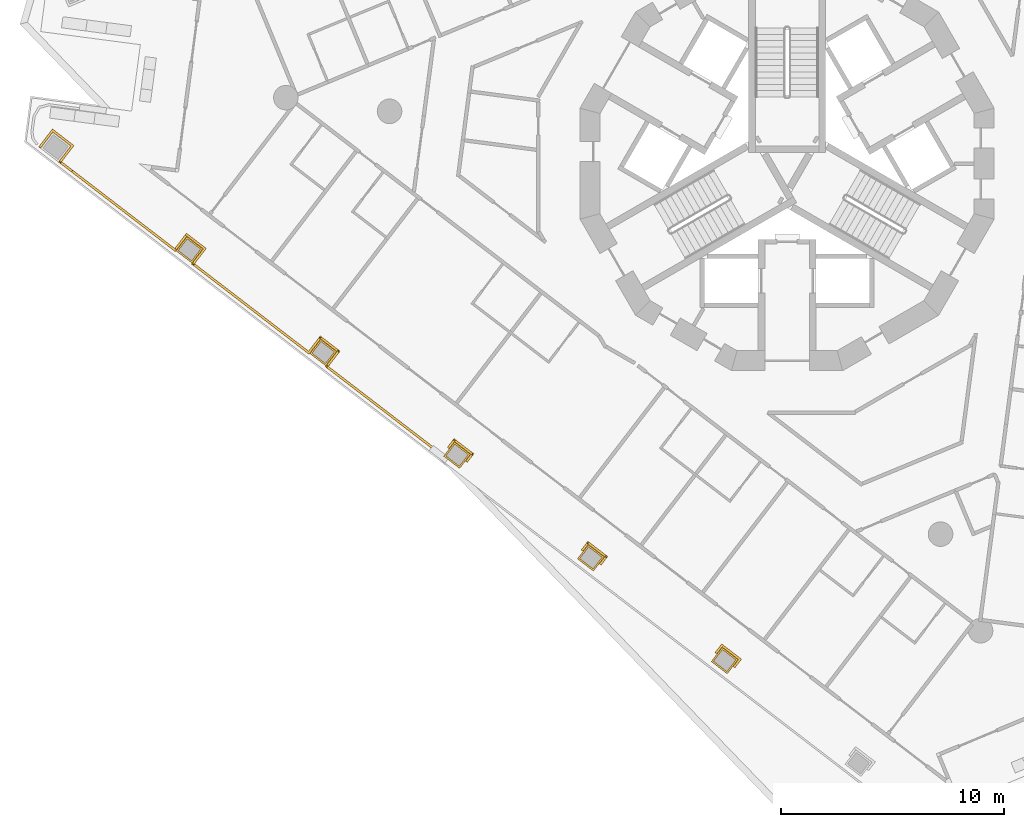
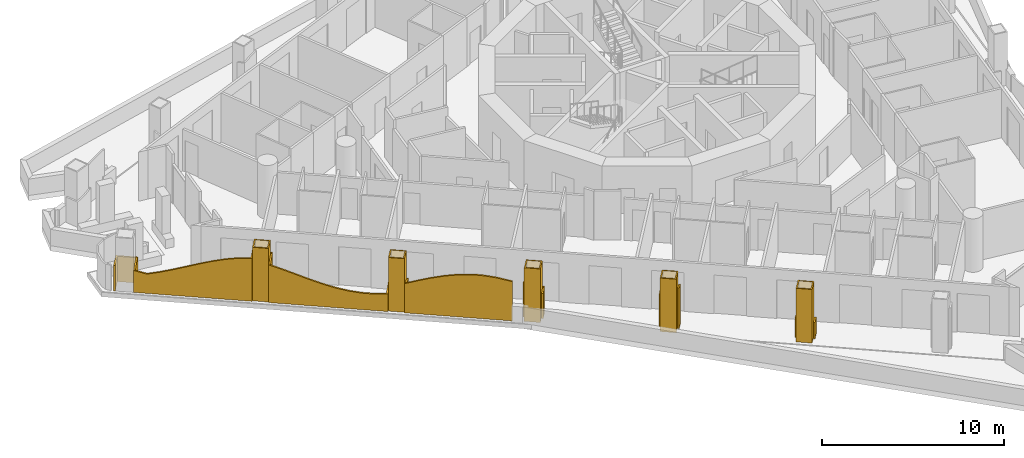
# One storey, part 12 of 19: 5 coverings, 4 railings.
"""IFC4 building model written with IfcOpenShell, lengths in metres."""

import ifcopenshell
import ifcopenshell.guid

model = None  # the IFC model being written
_history = None  # IfcOwnerHistory: only IFC2X3 demands one
_inside = {}  # id of a spatial element -> (the spatial element, [elements in it])
_under = {}  # id of a project, library or spatial element -> (it, [spatial elements below it])
_declared = {}  # id of a project -> (the project, [libraries it declares])
_typed = {}  # id of a type object -> (the type object, [elements of that type])
_made_of = {}  # id of a material, layer set ... -> (it, [elements and type objects made of it])


def new_model(schema):
    """Start an empty IFC model of exactly this schema.

    Asked for "IFC4X3", IfcOpenShell would pick the latest addendum, in which some entities
    have other attributes; the version numbers below select the first issue.
    IFC2X3 requires an IfcOwnerHistory on every rooted entity: one is made here for all.
    """
    global model, _history
    if schema == "IFC4X3":
        model = ifcopenshell.file(schema_version=(4, 3, 0, 0))
    else:
        model = ifcopenshell.file(schema=schema)
    _inside.clear()
    _under.clear()
    _declared.clear()
    _typed.clear()
    _made_of.clear()
    _history = None
    if model.schema == "IFC2X3":
        org = make("IfcOrganization", Name="unknown")
        user = make(
            "IfcPersonAndOrganization",
            ThePerson=make("IfcPerson", FamilyName="unknown"),
            TheOrganization=org,
        )
        app = make(
            "IfcApplication",
            ApplicationDeveloper=org,
            Version="unknown",
            ApplicationFullName="unknown",
            ApplicationIdentifier="unknown",
        )
        _history = make(
            "IfcOwnerHistory",
            OwningUser=user,
            OwningApplication=app,
            ChangeAction="ADDED",
            CreationDate=0,
        )
    return model


def make(cls, **values):
    """One entity of the class cls with the attributes given. An attribute that is None is left unset."""
    return model.create_entity(
        cls, **{name: value for name, value in values.items() if value is not None}
    )


def rooted(cls, **values):
    """An entity with a GlobalId (a new one), such as an element, a storey or a relation."""
    return make(cls, GlobalId=ifcopenshell.guid.new(), OwnerHistory=_history, **values)


def si_unit(unit_type, name, prefix=None):
    """IfcSIUnit, for example si_unit("LENGTHUNIT", "METRE", prefix="MILLI")."""
    return make("IfcSIUnit", UnitType=unit_type, Prefix=prefix, Name=name)


def assignment(units):
    """IfcUnitAssignment: the units of a project."""
    return None if units is None else make("IfcUnitAssignment", Units=units)


def point(xyz):
    """IfcCartesianPoint."""
    return None if xyz is None else make("IfcCartesianPoint", Coordinates=xyz)


def direction(xyz):
    """IfcDirection."""
    return None if xyz is None else make("IfcDirection", DirectionRatios=xyz)


def frame(location, z_axis=None, x_axis=None):
    """IfcAxis2Placement3D, a coordinate frame: its origin and axes. An axis left out is left unset."""
    return make(
        "IfcAxis2Placement3D",
        Location=point(location),
        Axis=direction(z_axis),
        RefDirection=direction(x_axis),
    )


def origin():
    """The frame at (0, 0, 0) with its axes left unset."""
    return frame((0.0, 0.0, 0.0))


def place(relative_to, where):
    """IfcLocalPlacement: puts the frame where relative to a parent placement (None: the world)."""
    return make(
        "IfcLocalPlacement", PlacementRelTo=relative_to, RelativePlacement=where
    )


def context(
    kind, dimensions, precision=None, world=None, true_north=None, identifier=None
):
    """IfcGeometricRepresentationContext, for example the 3D "Model" context."""
    return make(
        "IfcGeometricRepresentationContext",
        ContextIdentifier=identifier,
        ContextType=kind,
        CoordinateSpaceDimension=dimensions,
        Precision=precision,
        WorldCoordinateSystem=world,
        TrueNorth=true_north,
    )


def subcontext(parent, identifier, kind, view, scale=None):
    """IfcGeometricRepresentationSubContext, for example "Body" below "Model"."""
    return make(
        "IfcGeometricRepresentationSubContext",
        ContextIdentifier=identifier,
        ContextType=kind,
        ParentContext=parent,
        TargetScale=scale,
        TargetView=view,
    )


def project(units=None, contexts=None):
    """IfcProject with its units and contexts."""
    return rooted(
        "IfcProject",
        Name="project",
        RepresentationContexts=contexts,
        UnitsInContext=assignment(units),
    )


def spatial(cls, under=None, at=None, **own):
    """A site, building, storey or space (cls), placed at a placement, below another one or the project."""
    s = rooted(cls, ObjectPlacement=at, **own)
    if under is not None:
        _under.setdefault(under.id(), (under, []))[1].append(s)
    return s


def polyline(points):
    """IfcPolyline through the points."""
    return make("IfcPolyline", Points=[point(p) for p in points])


def outline(outer, holes=None, kind="AREA"):
    """IfcArbitraryClosedProfileDef: a profile drawn as a closed curve; with holes, ...WithVoids."""
    if holes is None:
        return make("IfcArbitraryClosedProfileDef", ProfileType=kind, OuterCurve=outer)
    return make(
        "IfcArbitraryProfileDefWithVoids",
        ProfileType=kind,
        OuterCurve=outer,
        InnerCurves=holes,
    )


def extrude(swept, where, along, depth):
    """IfcExtrudedAreaSolid: the profile swept, set in the frame where, extruded along a direction by depth."""
    return make(
        "IfcExtrudedAreaSolid",
        SweptArea=swept,
        Position=where,
        ExtrudedDirection=direction(along),
        Depth=depth,
    )


def shape(context_of_items, identifier, shape_type, items):
    """IfcShapeRepresentation: the items that make up one representation, for example the "Body"."""
    return make(
        "IfcShapeRepresentation",
        ContextOfItems=context_of_items,
        RepresentationIdentifier=identifier,
        RepresentationType=shape_type,
        Items=items,
    )


def material(Name=None, Category=None):
    """IfcMaterial."""
    return make("IfcMaterial", Name=Name, Category=Category)


def layer(
    of_material, thickness, ventilated=None, Name=None, Category=None, Priority=None
):
    """IfcMaterialLayer: one layer of a wall or slab, of a material (None: an air gap)."""
    return make(
        "IfcMaterialLayer",
        Material=of_material,
        LayerThickness=thickness,
        IsVentilated=ventilated,
        Name=Name,
        Category=Category,
        Priority=Priority,
    )


def layer_set(layers, Name=None):
    """IfcMaterialLayerSet."""
    return make("IfcMaterialLayerSet", MaterialLayers=layers, LayerSetName=Name)


def made_of(thing, what):
    """Note that an element or type object is made of a material, layer set ...; save() writes the relation."""
    if what is not None:
        _made_of.setdefault(what.id(), (what, []))[1].append(thing)
    return thing


def type_object(cls, material=None, **own):
    """A type object (cls), such as IfcWallType, which elements share."""
    return made_of(rooted(cls, **own), material)


def element(
    cls,
    number,
    at=None,
    inside=None,
    cuts=None,
    type_object=None,
    material=None,
    context=None,
    identifier="Body",
    shape_type=None,
    held_by="IfcProductDefinitionShape",
    body=None,
    shapes=None,
    **own,
):
    """One element of the class cls, such as IfcWall. Its Tag is "e" and its number.

    at: its placement. inside: the storey or other place that contains it. cuts: it is an
    opening in that element (IfcRelVoidsElement). A single representation is given by context,
    identifier, shape_type and body (its items); several are given by shapes. held_by: the class
    of the entity that holds the representations. save() writes the other relations.
    """
    e = rooted(cls, Tag="e%d" % number, ObjectPlacement=at, **own)
    if body is not None:
        shapes = [shape(context, identifier, shape_type, body)]
    if shapes is not None:
        e.Representation = make(held_by, Representations=shapes)
    if inside is not None:
        _inside.setdefault(inside.id(), (inside, []))[1].append(e)
    if cuts is not None:
        rooted(
            "IfcRelVoidsElement", RelatingBuildingElement=cuts, RelatedOpeningElement=e
        )
    if type_object is not None:
        _typed.setdefault(type_object.id(), (type_object, []))[1].append(e)
    return made_of(e, material)


def aggregate(whole, parts):
    """IfcRelAggregates: a whole, such as a stair, and the parts it consists of."""
    return rooted("IfcRelAggregates", RelatingObject=whole, RelatedObjects=parts)


def save(model, path):
    """Write the relations noted so far, then the file.

    IfcRelAggregates (storeys below a building ...), IfcRelContainedInSpatialStructure (elements
    in a storey), IfcRelDefinesByType, IfcRelAssociatesMaterial and IfcRelDeclares: one each for
    every whole, place, type object, material and project.
    """
    for whole, parts in _under.values():
        aggregate(whole, parts)
    for where, things in _inside.values():
        rooted(
            "IfcRelContainedInSpatialStructure",
            RelatedElements=things,
            RelatingStructure=where,
        )
    for kind, things in _typed.values():
        rooted("IfcRelDefinesByType", RelatedObjects=things, RelatingType=kind)
    for what, things in _made_of.values():
        rooted("IfcRelAssociatesMaterial", RelatedObjects=things, RelatingMaterial=what)
    for by, libraries in _declared.values():
        rooted("IfcRelDeclares", RelatingContext=by, RelatedDefinitions=libraries)
    model.write(path)


model = new_model("IFC4")

# Units and contexts
model_context = context("Model", 3, precision=1e-05, world=origin(), true_north=direction((0.0, 1.0)))
body_context = subcontext(model_context, "Body", "Model", "MODEL_VIEW")
ifc_project = project(units=[si_unit("LENGTHUNIT", "METRE"), si_unit("AREAUNIT", "SQUARE_METRE"), si_unit("VOLUMEUNIT", "CUBIC_METRE"), si_unit("PLANEANGLEUNIT", "RADIAN"), si_unit("MASSUNIT", "GRAM", prefix="KILO")], contexts=[model_context])

# Site, building, storey
site_placement = place(None, origin())
site = spatial("IfcSite", under=ifc_project, at=site_placement, CompositionType="ELEMENT")
building_placement = place(site_placement, origin())
building = spatial("IfcBuilding", under=site, at=building_placement, Name="Trine Commons Tower", CompositionType="ELEMENT")
storey_placement = place(building_placement, frame((0.0, 0.0, 124.199951171875)))
storey = spatial("IfcBuildingStorey", under=building, at=storey_placement, Name="L31", CompositionType="ELEMENT", Elevation=124.199951171875)

# Coverings
ifc_material_1 = material(Name="Limestone, honed", Category="masonry")
ifc_layer_1 = layer(ifc_material_1, 0.074951171875)
ifc_layer_set_1 = layer_set([ifc_layer_1], Name="Limestone, honed")
covering_type = type_object("IfcCoveringType", Name="Limestone column cladding 75", PredefinedType="CLADDING", material=ifc_layer_set_1)
covering_1_placement = place(storey_placement, origin())
element("IfcCovering", 1, at=covering_1_placement, inside=storey, type_object=covering_type, Name="Limestone pier cladding 4-03", PredefinedType="CLADDING", context=body_context, shape_type="SweptSolid", body=[
    extrude(outline(polyline([(77.092041015625, 40.84130859375), (76.60498046875, 40.206787109375), (77.319091796875, 39.65869140625), (77.805908203125, 40.29345703125), (77.092041015625, 40.84130859375)]), holes=[polyline([(77.105712890625, 40.736083984375), (76.710205078125, 40.220458984375), (77.30517578125, 39.763916015625), (77.700927734375, 40.27978515625), (77.105712890625, 40.736083984375)])]), origin(), (0.0, 0.0, 1.0), 3.60009765625),
])
covering_2_placement = place(storey_placement, origin())
element("IfcCovering", 2, at=covering_2_placement, inside=storey, type_object=covering_type, Name="Limestone pier cladding 4-04", PredefinedType="CLADDING", context=body_context, shape_type="SweptSolid", body=[
    extrude(outline(polyline([(71.1005859375, 45.438720703125), (70.61376953125, 44.803955078125), (71.32763671875, 44.256103515625), (71.814697265625, 44.890869140625), (71.1005859375, 45.438720703125)]), holes=[polyline([(71.114501953125, 45.33349609375), (70.71875, 44.81787109375), (71.31396484375, 44.361328125), (71.709716796875, 44.876953125), (71.114501953125, 45.33349609375)])]), origin(), (0.0, 0.0, 1.0), 3.60009765625),
])
covering_3_placement = place(storey_placement, origin())
element("IfcCovering", 3, at=covering_3_placement, inside=storey, type_object=covering_type, Name="Limestone pier cladding 4-05", PredefinedType="CLADDING", context=body_context, shape_type="SweptSolid", body=[
    extrude(outline(polyline([(65.109375, 50.035888671875), (64.622314453125, 49.4013671875), (65.336181640625, 48.853515625), (65.8232421875, 49.488037109375), (65.109375, 50.035888671875)]), holes=[polyline([(65.123046875, 49.930908203125), (64.727294921875, 49.4150390625), (65.322509765625, 48.95849609375), (65.71826171875, 49.474365234375), (65.123046875, 49.930908203125)])]), origin(), (0.0, 0.0, 1.0), 3.60009765625),
])
covering_4_placement = place(storey_placement, origin())
element("IfcCovering", 4, at=covering_4_placement, inside=storey, type_object=covering_type, Name="Limestone pier cladding 4-06", PredefinedType="CLADDING", context=body_context, shape_type="SweptSolid", body=[
    extrude(outline(polyline([(59.117919921875, 54.63330078125), (58.631103515625, 53.998779296875), (59.344970703125, 53.45068359375), (59.83203125, 54.08544921875), (59.117919921875, 54.63330078125)]), holes=[polyline([(59.1318359375, 54.5283203125), (58.736083984375, 54.012451171875), (59.331298828125, 53.555908203125), (59.726806640625, 54.07177734375), (59.1318359375, 54.5283203125)])]), origin(), (0.0, 0.0, 1.0), 3.60009765625),
])
covering_5_placement = place(storey_placement, origin())
element("IfcCovering", 5, at=covering_5_placement, inside=storey, type_object=covering_type, Name="Limestone pier cladding 4-07", PredefinedType="CLADDING", context=body_context, shape_type="SweptSolid", body=[
    extrude(outline(polyline([(53.126708984375, 59.230712890625), (52.6396484375, 58.595947265625), (53.353515625, 58.048095703125), (53.840576171875, 58.682861328125), (53.126708984375, 59.230712890625)]), holes=[polyline([(53.140380859375, 59.12548828125), (52.74462890625, 58.60986328125), (53.33984375, 58.1533203125), (53.735595703125, 58.6689453125), (53.140380859375, 59.12548828125)])]), origin(), (0.0, 0.0, 1.0), 3.60009765625),
])

# Railings
ifc_material_2 = material(Name="White powder-coated aluminium", Category="aluminium")
ifc_layer_2 = layer(ifc_material_2, 0.10009765625)
ifc_layer_set_2 = layer_set([ifc_layer_2], Name="White powder-coated aluminium")
railing_type = type_object("IfcRailingType", Name="White balustrade band 100", PredefinedType="GUARDRAIL", material=ifc_layer_set_2)
railing_1_placement = place(storey_placement, origin())
element("IfcRailing", 6, at=railing_1_placement, inside=storey, type_object=railing_type, Name="Guard band L31 2", PredefinedType="GUARDRAIL", context=body_context, shape_type="SweptSolid", body=[
    extrude(outline(polyline([(0.0, 0.0), (0.490966796875, 0.0), (0.4912109375, 1.120849609375), (0.4912109375, 1.120849609375), (0.010009765625, 1.100341796875), (0.0, 1.100341796875), (0.0, 0.0)])), frame((77.58251953125, 39.986083984375, 0.0), z_axis=(0.793510323703, -0.608556789607, 0.0), x_axis=(0.608556789607, 0.793510323703, 0.0)), (0.0, 0.0, 1.0), 0.10009765625),
    extrude(outline(polyline([(0.0, 0.0), (1.12158203125, 0.0), (1.12158203125, 1.2705078125), (0.560791015625, 1.171142578125), (0.0, 1.11376953125), (0.0, 0.0)])), frame((77.899658203125, 40.234130859375, 0.0), z_axis=(0.608774186888, 0.793343550663, 0.0), x_axis=(-0.793343550663, 0.608774186888, 0.0)), (0.0, 0.0, 1.0), 0.10009765625),
    extrude(outline(polyline([(0.0, 0.0), (0.49072265625, 0.0), (0.490478515625, 1.36181640625), (0.48095703125, 1.359130859375), (0.0, 1.249755859375), (0.0, 0.0)])), frame((77.151611328125, 40.93505859375, 0.0), z_axis=(-0.793141629687, 0.609037236347, 0.0), x_axis=(-0.609037236347, -0.793141629687, 0.0)), (0.0, 0.0, 1.0), 0.10009765625),
])
railing_2_placement = place(storey_placement, origin())
element("IfcRailing", 7, at=railing_2_placement, inside=storey, type_object=railing_type, Name="Guard band L31 3", PredefinedType="GUARDRAIL", context=body_context, shape_type="SweptSolid", body=[
    extrude(outline(polyline([(0.0, 0.0), (0.49072265625, 0.0), (0.49072265625, 2.6279296875), (0.010009765625, 2.739990234375), (0.0, 2.74169921875), (0.0, 0.0)])), frame((71.59130859375, 44.583251953125, 0.0), z_axis=(0.793566320119, -0.608483767715, 0.0), x_axis=(0.608483767715, 0.793566320119, 0.0)), (0.0, 0.0, 1.0), 0.10009765625),
    extrude(outline(polyline([(0.0, 0.0), (1.12158203125, 0.0), (1.121826171875, 2.31884765625), (0.560791015625, 2.4990234375), (0.0, 2.653564453125), (0.0, 0.0)])), frame((71.90869140625, 44.8310546875, 0.0), z_axis=(0.608774186888, 0.793343550663, 0.0), x_axis=(-0.793343550663, 0.608774186888, 0.0)), (0.0, 0.0, 1.0), 0.10009765625),
    extrude(outline(polyline([(0.0, 0.0), (0.490478515625, 0.0), (0.490478515625, 2.18408203125), (0.480712890625, 2.1875), (0.0, 2.35302734375), (0.0, 0.0)])), frame((71.16015625, 45.5322265625, 0.0), z_axis=(-0.793381997862, 0.608724079915, 0.0), x_axis=(-0.608724079915, -0.793381997862, 0.0)), (0.0, 0.0, 1.0), 0.10009765625),
])
railing_3_placement = place(storey_placement, origin())
element("IfcRailing", 8, at=railing_3_placement, inside=storey, type_object=railing_type, Name="Guard band L31 4", PredefinedType="GUARDRAIL", context=body_context, shape_type="SweptSolid", body=[
    extrude(outline(polyline([(0.0, 0.0), (0.4912109375, 0.0), (0.4912109375, 1.8310546875), (0.4912109375, 1.8310546875), (0.01025390625, 1.66455078125), (0.0, 1.6611328125), (0.0, 0.0)])), frame((65.599853515625, 49.1806640625, 0.0), z_axis=(0.793270245004, -0.608869705595, 0.0), x_axis=(0.608869705595, 0.793270245004, 0.0)), (0.0, 0.0, 1.0), 0.10009765625),
    extrude(outline(polyline([(0.0, 0.0), (1.1220703125, 0.0), (1.1220703125, 2.197265625), (0.56103515625, 1.99609375), (0.0, 1.795166015625), (0.0, 0.0)])), frame((65.917236328125, 49.428466796875, 0.0), z_axis=(0.608806046865, 0.793319101812, 0.0), x_axis=(-0.793319101812, 0.608806046865, 0.0)), (0.0, 0.0, 1.0), 0.10009765625),
    extrude(outline(polyline([(0.0, 0.0), (0.490966796875, 0.0), (0.49072265625, 2.331298828125), (0.480712890625, 2.328125), (0.0, 2.1611328125), (0.0, 0.0)])), frame((65.1689453125, 50.1298828125, 0.0), z_axis=(-0.793326085807, 0.608796946099, 0.0), x_axis=(-0.608796946099, -0.793326085807, 0.0)), (0.0, 0.0, 1.0), 0.10009765625),
])
railing_4_placement = place(storey_placement, origin())
element("IfcRailing", 9, at=railing_4_placement, inside=storey, type_object=railing_type, Name="Guard band L31 5", PredefinedType="GUARDRAIL", context=body_context, shape_type="SweptSolid", body=[
    extrude(outline(polyline([(0.0, 0.0), (5.9873046875, 0.0), (5.9873046875, 1.95654296875), (5.25048828125, 2.220703125), (4.513427734375, 2.465576171875), (3.7763671875, 2.670166015625), (3.039306640625, 2.816162109375), (2.302490234375, 2.891357421875), (1.95654296875, 2.900146484375), (1.5654296875, 2.888916015625), (0.828369140625, 2.809326171875), (0.09130859375, 2.658935546875), (0.0, 2.63330078125), (0.0, 0.0)])), frame((64.072021484375, 49.760498046875, 0.0), z_axis=(0.608738813032, 0.793370693628, 0.0), x_axis=(-0.793370693628, 0.608738813032, 0.0)), (0.0, 0.0, 1.0), 0.10009765625),
    extrude(outline(polyline([(0.0, 0.0), (0.96142578125, 0.0), (0.96142578125, 1.654541015625), (0.480712890625, 1.820556640625), (0.0, 1.9931640625), (0.0, 0.0)])), frame((59.322021484375, 53.404541015625, 0.0), z_axis=(0.793463304969, -0.608618093444, 0.0), x_axis=(0.608618093444, 0.793463304969, 0.0)), (0.0, 0.0, 1.0), 0.10009765625),
    extrude(outline(polyline([(0.0, 0.0), (1.12158203125, 0.0), (1.12158203125, 1.35205078125), (0.560791015625, 1.508056640625), (0.0, 1.688720703125), (0.0, 0.0)])), frame((59.92578125, 54.026123046875, 0.0), z_axis=(0.60863717045, 0.793448671778, 0.0), x_axis=(-0.793448671778, 0.60863717045, 0.0)), (0.0, 0.0, 1.0), 0.10009765625),
    extrude(outline(polyline([(0.0, 0.0), (0.9619140625, 0.0), (0.9619140625, 1.178955078125), (0.48095703125, 1.264892578125), (0.0, 1.378173828125), (0.0, 0.0)])), frame((59.177490234375, 54.727294921875, 0.0), z_axis=(-0.793434749547, 0.60865531971, 0.0), x_axis=(-0.60865531971, -0.793434749547, 0.0)), (0.0, 0.0, 1.0), 0.10009765625),
    extrude(outline(polyline([(0.0, 0.0), (6.634033203125, 0.0), (6.63427734375, 2.531494140625), (5.89697265625, 2.29638671875), (5.159912109375, 2.03564453125), (4.4228515625, 1.771484375), (3.685546875, 1.52734375), (2.948486328125, 1.324462890625), (2.21142578125, 1.180419921875), (1.474365234375, 1.107666015625), (1.1513671875, 1.10009765625), (0.737060546875, 1.112548828125), (0.0, 1.194580078125), (0.0, 0.0)])), frame((58.59326171875, 53.96435546875, 0.0), z_axis=(0.608760613518, 0.793353966039, 0.0), x_axis=(-0.793353966039, 0.608760613518, 0.0)), (0.0, 0.0, 1.0), 0.10009765625),
    extrude(outline(polyline([(0.0, 0.0), (0.961669921875, 0.0), (0.961669921875, 2.74609375), (0.48095703125, 2.635498046875), (0.0, 2.50146484375), (0.0, 0.0)])), frame((53.330810546875, 58.002197265625, 0.0), z_axis=(0.793340691428, -0.608777912974, 0.0), x_axis=(0.608777912974, 0.793340691428, 0.0)), (0.0, 0.0, 1.0), 0.10009765625),
    extrude(outline(polyline([(0.0, 0.0), (1.121337890625, 0.0), (1.12109375, 2.884765625), (0.560546875, 2.82568359375), (0.0, 2.724853515625), (0.0, 0.0)])), frame((53.934326171875, 58.623291015625, 0.0), z_axis=(0.608742306476, 0.793368013161, 0.0), x_axis=(-0.793368013161, 0.608742306476, 0.0)), (0.0, 0.0, 1.0), 0.10009765625),
    extrude(outline(polyline([(0.0, 0.0), (0.96142578125, 0.0), (0.96142578125, 2.888427734375), (0.559814453125, 2.780029296875), (0.480712890625, 2.780029296875), (0.0, 2.87744140625), (0.0, 0.0)])), frame((53.18603515625, 59.324462890625, 0.0), z_axis=(-0.793369224863, 0.608740727272, 0.0), x_axis=(-0.608740727272, -0.793369224863, 0.0)), (0.0, 0.0, 1.0), 0.10009765625),
    extrude(outline(polyline([(0.0, 0.0), (6.583740234375, 0.0), (6.583740234375, 1.472412109375), (5.852294921875, 1.294677734375), (5.12060546875, 1.487060546875), (4.38916015625, 1.72314453125), (3.65771484375, 1.98291015625), (2.926025390625, 2.244384765625), (2.194580078125, 2.48486328125), (1.462890625, 2.68359375), (0.7314453125, 2.82373046875), (0.0, 2.8935546875), (0.0, 0.0)])), frame((52.601806640625, 58.561767578125, 0.0), z_axis=(0.608780250627, 0.793338897601, 0.0), x_axis=(-0.793338897601, 0.608780250627, 0.0)), (0.0, 0.0, 1.0), 0.10009765625),
    extrude(outline(polyline([(0.0, 0.0), (1.01171875, 0.0), (1.011962890625, 1.699951171875), (0.505859375, 1.65673828125), (0.0, 1.4375), (0.0, 0.0)])), frame((47.378662109375, 62.568603515625, 0.0), z_axis=(0.793349976743, -0.608765812446, 0.0), x_axis=(0.608765812446, 0.793349976743, 0.0)), (0.0, 0.0, 1.0), 0.10009765625),
    extrude(outline(polyline([(0.0, 0.0), (1.221435546875, 0.0), (1.221435546875, 1.699951171875), (0.610595703125, 1.699951171875), (0.12841796875, 1.699951171875), (0.0, 1.699951171875), (0.0, 0.0)])), frame((48.012939453125, 63.22998046875, 0.0), z_axis=(0.60859936918, 0.793477666878, 0.0), x_axis=(-0.793477666878, 0.60859936918, 0.0)), (0.0, 0.0, 1.0), 0.10009765625),
    extrude(outline(polyline([(0.0, 0.0), (1.01171875, 0.0), (1.01171875, 1.699951171875), (0.505859375, 1.699951171875), (0.0, 1.699951171875), (0.0, 0.0)])), frame((47.185546875, 63.99169921875, 0.0), z_axis=(-0.793349976743, 0.608765812446, 0.0), x_axis=(-0.608765812446, -0.793349976743, 0.0)), (0.0, 0.0, 1.0), 0.10009765625),
])

save(model, "model.ifc")
